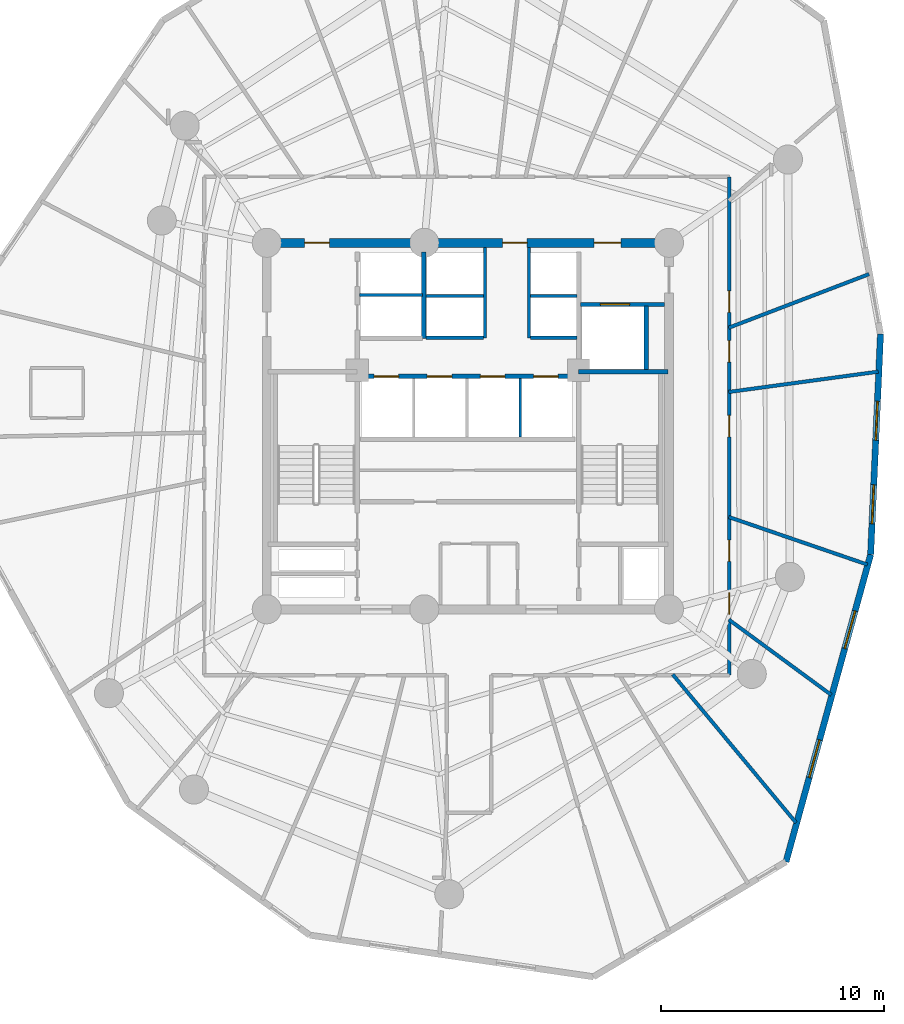
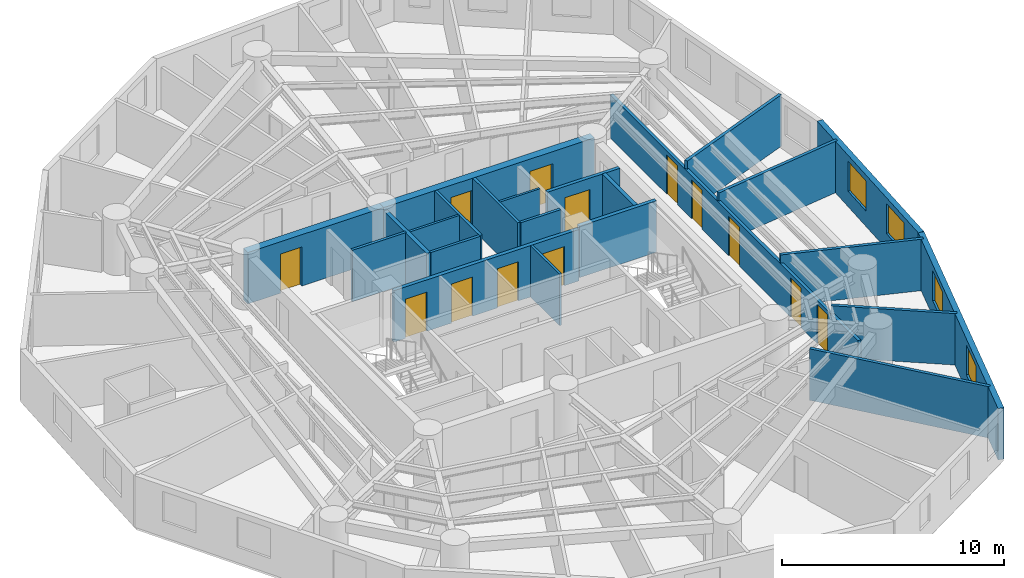
# One storey, part 5 of 8: 23 walls, 13 doors, 4 windows, 17 openings.
"""IFC4 building model written with IfcOpenShell, lengths in metres."""

from ifc_helpers import new_model, si_unit, direction, frame, frame_2d, origin, origin_with_axes, place, context, subcontext, project, spatial, rectangle, extrude, source, transform, mapped, material, layer, layer_set, type_object, element, fill, save


model = new_model("IFC4")

# Units and contexts
model_context = context("Model", 3, precision=1e-05, world=origin(), true_north=direction((0.0, 1.0)))
body_context = subcontext(model_context, "Body", "Model", "MODEL_VIEW")
ifc_project = project(units=[si_unit("LENGTHUNIT", "METRE"), si_unit("AREAUNIT", "SQUARE_METRE"), si_unit("VOLUMEUNIT", "CUBIC_METRE"), si_unit("PLANEANGLEUNIT", "RADIAN"), si_unit("MASSUNIT", "GRAM", prefix="KILO")], contexts=[model_context])

# Site, building, storey
site_placement = place(None, origin())
site = spatial("IfcSite", under=ifc_project, at=site_placement, CompositionType="ELEMENT")
building_placement = place(site_placement, origin())
building = spatial("IfcBuilding", under=site, at=building_placement, Name="Karkom Vertical University and Central Library", CompositionType="ELEMENT")
storey_placement = place(building_placement, frame((0.0, 0.0, 180.949951171875)))
storey = spatial("IfcBuildingStorey", under=building, at=storey_placement, Name="L52", CompositionType="ELEMENT", Elevation=180.949951171875)

# Wall, openings, windows
ifc_material_1 = material(Name="Brick-faced precast concrete C45/55", Category="masonry")
ifc_layer_1 = layer(ifc_material_1, 0.280029296875)
ifc_layer_set_1 = layer_set([ifc_layer_1], Name="Brick-faced precast concrete C45/55")
wall_type_1 = type_object("IfcWallType", Name="ENV-WL-BRK-280", PredefinedType="SOLIDWALL", material=ifc_layer_set_1)
wall_1_placement = place(storey_placement, frame((42.737060546875, 7.001953125, 0.0), z_axis=(0.0, 0.0, 1.0), x_axis=(0.265596536656, 0.964084270029, 0.0)))
wall_1 = element("IfcWall", 1, at=wall_1_placement, inside=storey, type_object=wall_type_1, Name="Level 52 Brick-Faced Precast Facade Wall 06", PredefinedType="SOLIDWALL", context=body_context, shape_type="SweptSolid", body=[
    extrude(rectangle(XDim=14.2607421875, YDim=0.280029296875, at=frame_2d((7.13037109375, 0.0))), origin(), (0.0, 0.0, 1.0), 2.824951171875),
])
opening_1_placement = place(wall_1_placement, frame((3.91064453125, 0.0, 0.85009765625)))
opening_1 = element("IfcOpeningElement", 2, at=opening_1_placement, cuts=wall_1, Name="Opening WN-08", PredefinedType="OPENING", context=body_context, shape_type="SweptSolid", body=[
    extrude(rectangle(XDim=1.75, YDim=1.64990234375, at=frame_2d((0.875, 0.824951171875))), frame((0.0, 0.14990234375, 0.0), z_axis=(0.0, -1.0, 0.0), x_axis=(1.0, 0.0, 0.0)), (0.0, 0.0, 1.0), 0.300048828125),
])
opening_2_placement = place(wall_1_placement, frame((9.8935546875, 0.0, 0.85009765625)))
opening_2 = element("IfcOpeningElement", 3, at=opening_2_placement, cuts=wall_1, Name="Opening WN-08", PredefinedType="OPENING", context=body_context, shape_type="SweptSolid", body=[
    extrude(rectangle(XDim=1.75, YDim=1.64990234375, at=frame_2d((0.875, 0.824951171875))), frame((0.0, 0.14990234375, 0.0), z_axis=(0.0, -1.0, 0.0), x_axis=(1.0, 0.0, 0.0)), (0.0, 0.0, 1.0), 0.300048828125),
])
ifc_material_2 = material(Name="Aluminium thermal-break frame with solar-control IGU", Category="aluminium")
window_type = type_object("IfcWindowType", Name="ENV-WIN-WN-08", PartitioningType="SINGLE_PANEL", PredefinedType="WINDOW", material=ifc_material_2)
shared_shape_1 = source(origin_with_axes(), body_context, "Body", "SweptSolid", [
    extrude(rectangle(XDim=1.75, YDim=1.64990234375, at=frame_2d((0.875, 0.824951171875))), frame((0.0, 0.030029296875, 0.0), z_axis=(0.0, -1.0, 0.0), x_axis=(1.0, 0.0, 0.0)), (0.0, 0.0, 1.0), 0.06005859375),
])
window_1_placement = place(opening_1_placement, origin())
window_1 = element("IfcWindow", 4, at=window_1_placement, inside=storey, type_object=window_type, Name="Level 52 Punched Window 6.1", OverallHeight=1.64990234375, OverallWidth=1.75, PartitioningType="SINGLE_PANEL", PredefinedType="WINDOW", context=body_context, shape_type="MappedRepresentation", body=[
    mapped(shared_shape_1, transform((0.0, 0.0, 0.0), scale=1.0)),
])
fill(opening_1, window_1)
window_2_placement = place(opening_2_placement, origin())
window_2 = element("IfcWindow", 5, at=window_2_placement, inside=storey, type_object=window_type, Name="Level 52 Punched Window 6.2", OverallHeight=1.64990234375, OverallWidth=1.75, PartitioningType="SINGLE_PANEL", PredefinedType="WINDOW", context=body_context, shape_type="MappedRepresentation", body=[
    mapped(shared_shape_1, transform((0.0, 0.0, 0.0), scale=1.0)),
])
fill(opening_2, window_2)

wall_2_placement = place(storey_placement, frame((46.524658203125, 20.75048828125, 0.0), z_axis=(0.0, 0.0, 1.0), x_axis=(0.044664292474, 0.999002052539, 0.0)))
wall_2 = element("IfcWall", 6, at=wall_2_placement, inside=storey, type_object=wall_type_1, Name="Level 52 Brick-Faced Precast Facade Wall 07", PredefinedType="SOLIDWALL", context=body_context, shape_type="SweptSolid", body=[
    extrude(rectangle(XDim=9.877197265625, YDim=0.280029296875, at=frame_2d((4.9384765625, 0.0))), origin(), (0.0, 0.0, 1.0), 2.824951171875),
])
opening_3_placement = place(wall_2_placement, frame((1.3759765625, 0.0, 0.85009765625)))
opening_3 = element("IfcOpeningElement", 7, at=opening_3_placement, cuts=wall_2, Name="Opening WN-08", PredefinedType="OPENING", context=body_context, shape_type="SweptSolid", body=[
    extrude(rectangle(XDim=1.75, YDim=1.64990234375, at=frame_2d((0.875, 0.824951171875))), frame((0.0, 0.14990234375, 0.0), z_axis=(0.0, -1.0, 0.0), x_axis=(1.0, 0.0, 0.0)), (0.0, 0.0, 1.0), 0.300048828125),
])
opening_4_placement = place(wall_2_placement, frame((5.117919921875, 0.0, 0.85009765625)))
opening_4 = element("IfcOpeningElement", 8, at=opening_4_placement, cuts=wall_2, Name="Opening WN-08", PredefinedType="OPENING", context=body_context, shape_type="SweptSolid", body=[
    extrude(rectangle(XDim=1.75, YDim=1.64990234375, at=frame_2d((0.875, 0.824951171875))), frame((0.0, 0.14990234375, 0.0), z_axis=(0.0, -1.0, 0.0), x_axis=(1.0, 0.0, 0.0)), (0.0, 0.0, 1.0), 0.300048828125),
])
window_3_placement = place(opening_3_placement, origin())
window_3 = element("IfcWindow", 9, at=window_3_placement, inside=storey, type_object=window_type, Name="Level 52 Punched Window 7.1", OverallHeight=1.64990234375, OverallWidth=1.75, PartitioningType="SINGLE_PANEL", PredefinedType="WINDOW", context=body_context, shape_type="MappedRepresentation", body=[
    mapped(shared_shape_1, transform((0.0, 0.0, 0.0), scale=1.0)),
])
fill(opening_3, window_3)
window_4_placement = place(opening_4_placement, origin())
window_4 = element("IfcWindow", 10, at=window_4_placement, inside=storey, type_object=window_type, Name="Level 52 Punched Window 7.2", OverallHeight=1.64990234375, OverallWidth=1.75, PartitioningType="SINGLE_PANEL", PredefinedType="WINDOW", context=body_context, shape_type="MappedRepresentation", body=[
    mapped(shared_shape_1, transform((0.0, 0.0, 0.0), scale=1.0)),
])
fill(opening_4, window_4)

# Wall, openings, doors
ifc_material_3 = material(Name="Insulated metal-stud drywall 160mm", Category="gypsum")
ifc_layer_2 = layer(ifc_material_3, 0.159912109375)
ifc_layer_set_2 = layer_set([ifc_layer_2], Name="Insulated metal-stud drywall 160mm")
wall_type_2 = type_object("IfcWallType", Name="INT-WL-COR-160", PredefinedType="PARTITIONING", material=ifc_layer_set_2)
wall_3_placement = place(storey_placement, frame((40.199951171875, 37.64990234375, 0.0), z_axis=(0.0, 0.0, 1.0), x_axis=(0.0, -1.0, 0.0)))
wall_3 = element("IfcWall", 11, at=wall_3_placement, inside=storey, type_object=wall_type_2, Name="Level 52 Interior Partition Wall L52-CORW-CW-004", PredefinedType="PARTITIONING", context=body_context, shape_type="SweptSolid", body=[
    extrude(rectangle(XDim=22.2998046875, YDim=0.159912109375, at=frame_2d((11.14990234375, 0.0))), origin(), (0.0, 0.0, 1.0), 2.375),
])
opening_5_placement = place(wall_3_placement, frame((18.61865234375, 0.0, 0.0)))
opening_5 = element("IfcOpeningElement", 12, at=opening_5_placement, cuts=wall_3, Name="Opening FD-RM2", PredefinedType="OPENING", context=body_context, shape_type="SweptSolid", body=[
    extrude(rectangle(XDim=0.9599609375, YDim=2.14990234375, at=frame_2d((0.47998046875, 1.074951171875))), frame((0.0, 0.08984375, 0.0), z_axis=(0.0, -1.0, 0.0), x_axis=(1.0, 0.0, 0.0)), (0.0, 0.0, 1.0), 0.179931640625),
])
opening_6_placement = place(wall_3_placement, frame((16.25, 0.0, 0.0)))
opening_6 = element("IfcOpeningElement", 13, at=opening_6_placement, cuts=wall_3, Name="Opening FD-RM2", PredefinedType="OPENING", context=body_context, shape_type="SweptSolid", body=[
    extrude(rectangle(XDim=0.9599609375, YDim=2.14990234375, at=frame_2d((0.47998046875, 1.074951171875))), frame((0.0, 0.08984375, 0.0), z_axis=(0.0, -1.0, 0.0), x_axis=(1.0, 0.0, 0.0)), (0.0, 0.0, 1.0), 0.179931640625),
])
opening_7_placement = place(wall_3_placement, frame((10.675048828125, 0.0, 0.0)))
opening_7 = element("IfcOpeningElement", 14, at=opening_7_placement, cuts=wall_3, Name="Opening FD-RM2", PredefinedType="OPENING", context=body_context, shape_type="SweptSolid", body=[
    extrude(rectangle(XDim=0.9599609375, YDim=2.14990234375, at=frame_2d((0.47998046875, 1.074951171875))), frame((0.0, 0.08984375, 0.0), z_axis=(0.0, -1.0, 0.0), x_axis=(1.0, 0.0, 0.0)), (0.0, 0.0, 1.0), 0.179931640625),
])
opening_8_placement = place(wall_3_placement, frame((7.330078125, 0.0, 0.0)))
opening_8 = element("IfcOpeningElement", 15, at=opening_8_placement, cuts=wall_3, Name="Opening FD-RM2", PredefinedType="OPENING", context=body_context, shape_type="SweptSolid", body=[
    extrude(rectangle(XDim=0.9599609375, YDim=2.14990234375, at=frame_2d((0.47998046875, 1.074951171875))), frame((0.0, 0.08984375, 0.0), z_axis=(0.0, -1.0, 0.0), x_axis=(1.0, 0.0, 0.0)), (0.0, 0.0, 1.0), 0.179931640625),
])
opening_9_placement = place(wall_3_placement, frame((5.10009765625, 0.0, 0.0)))
opening_9 = element("IfcOpeningElement", 16, at=opening_9_placement, cuts=wall_3, Name="Opening FD-RM2", PredefinedType="OPENING", context=body_context, shape_type="SweptSolid", body=[
    extrude(rectangle(XDim=0.9599609375, YDim=2.14990234375, at=frame_2d((0.47998046875, 1.074951171875))), frame((0.0, 0.08984375, 0.0), z_axis=(0.0, -1.0, 0.0), x_axis=(1.0, 0.0, 0.0)), (0.0, 0.0, 1.0), 0.179931640625),
])
ifc_material_4 = material(Name="Fire-rated oak veneer door", Category="wood")
door_type_1 = type_object("IfcDoorType", Name="INT-DR-FRM2", OperationType="NOTDEFINED", PredefinedType="DOOR", material=ifc_material_4)
shared_shape_2 = source(origin_with_axes(), body_context, "Body", "SweptSolid", [
    extrude(rectangle(XDim=0.9599609375, YDim=2.14990234375, at=frame_2d((0.47998046875, 1.074951171875))), frame((0.0, 0.02490234375, 0.0), z_axis=(0.0, -1.0, 0.0), x_axis=(1.0, 0.0, 0.0)), (0.0, 0.0, 1.0), 0.050048828125),
])
door_1_placement = place(opening_5_placement, origin())
door_1 = element("IfcDoor", 17, at=door_1_placement, inside=storey, type_object=door_type_1, Name="Level 52 Room Entry Door 100", OperationType="SINGLE_SWING_LEFT", OverallHeight=2.14990234375, OverallWidth=0.9599609375, PredefinedType="DOOR", context=body_context, shape_type="MappedRepresentation", body=[
    mapped(shared_shape_2, transform((0.0, 0.0, 0.0), scale=1.0)),
])
fill(opening_5, door_1)
door_2_placement = place(opening_6_placement, origin())
door_2 = element("IfcDoor", 18, at=door_2_placement, inside=storey, type_object=door_type_1, Name="Level 52 Room Entry Door 110", OperationType="SINGLE_SWING_RIGHT", OverallHeight=2.14990234375, OverallWidth=0.9599609375, PredefinedType="DOOR", context=body_context, shape_type="MappedRepresentation", body=[
    mapped(shared_shape_2, transform((0.0, 0.0, 0.0), scale=1.0)),
])
fill(opening_6, door_2)
door_3_placement = place(opening_7_placement, origin())
door_3 = element("IfcDoor", 19, at=door_3_placement, inside=storey, type_object=door_type_1, Name="Level 52 Room Entry Door 120", OperationType="SINGLE_SWING_LEFT", OverallHeight=2.14990234375, OverallWidth=0.9599609375, PredefinedType="DOOR", context=body_context, shape_type="MappedRepresentation", body=[
    mapped(shared_shape_2, transform((0.0, 0.0, 0.0), scale=1.0)),
])
fill(opening_7, door_3)
door_4_placement = place(opening_8_placement, origin())
door_4 = element("IfcDoor", 20, at=door_4_placement, inside=storey, type_object=door_type_1, Name="Level 52 Room Entry Door 130", OperationType="SINGLE_SWING_RIGHT", OverallHeight=2.14990234375, OverallWidth=0.9599609375, PredefinedType="DOOR", context=body_context, shape_type="MappedRepresentation", body=[
    mapped(shared_shape_2, transform((0.0, 0.0, 0.0), scale=1.0)),
])
fill(opening_8, door_4)
door_5_placement = place(opening_9_placement, origin())
door_5 = element("IfcDoor", 21, at=door_5_placement, inside=storey, type_object=door_type_1, Name="Level 52 Room Entry Door 140", OperationType="SINGLE_SWING_LEFT", OverallHeight=2.14990234375, OverallWidth=0.9599609375, PredefinedType="DOOR", context=body_context, shape_type="MappedRepresentation", body=[
    mapped(shared_shape_2, transform((0.0, 0.0, 0.0), scale=1.0)),
])
fill(opening_9, door_5)

# Walls
wall_4_placement = place(storey_placement, frame((37.665283203125, 15.384521484375, 0.0), z_axis=(0.0, 0.0, 1.0), x_axis=(0.639368423228, -0.768900526323, 0.0)))
element("IfcWall", 22, at=wall_4_placement, inside=storey, type_object=wall_type_2, Name="Level 52 Interior Partition Wall L52-PW-015", PredefinedType="PARTITIONING", context=body_context, shape_type="SweptSolid", body=[
    extrude(rectangle(XDim=8.626708984375, YDim=0.159912109375, at=frame_2d((4.3134765625, 0.0))), origin(), (0.0, 0.0, 1.0), 2.824951171875),
])
wall_5_placement = place(storey_placement, frame((40.17041015625, 28.0244140625, 0.0), z_axis=(0.0, 0.0, 1.0), x_axis=(0.99089755773, 0.134618089739, 0.0)))
element("IfcWall", 23, at=wall_5_placement, inside=storey, type_object=wall_type_2, Name="Level 52 Interior Partition Wall L52-PW-018", PredefinedType="PARTITIONING", context=body_context, shape_type="SweptSolid", body=[
    extrude(rectangle(XDim=6.755615234375, YDim=0.159912109375, at=frame_2d((3.3779296875, 0.0))), origin(), (0.0, 0.0, 1.0), 2.824951171875),
])
wall_6_placement = place(storey_placement, frame((40.172119140625, 30.898193359375, 0.0), z_axis=(0.0, 0.0, 1.0), x_axis=(0.934068932964, 0.357092744916, 0.0)))
element("IfcWall", 24, at=wall_6_placement, inside=storey, type_object=wall_type_2, Name="Level 52 Interior Partition Wall L52-PW-019", PredefinedType="PARTITIONING", context=body_context, shape_type="SweptSolid", body=[
    extrude(rectangle(XDim=6.72412109375, YDim=0.159912109375, at=frame_2d((3.362060546875, 0.0))), origin(), (0.0, 0.0, 1.0), 2.824951171875),
])
wall_7_placement = place(storey_placement, frame((40.171630859375, 22.430908203125, 0.0), z_axis=(0.0, 0.0, 1.0), x_axis=(0.945839197, -0.324635508561, 0.0)))
element("IfcWall", 25, at=wall_7_placement, inside=storey, type_object=wall_type_2, Name="Level 52 Interior Partition Wall L52-PW-017", PredefinedType="PARTITIONING", context=body_context, shape_type="SweptSolid", body=[
    extrude(rectangle(XDim=6.55859375, YDim=0.159912109375, at=frame_2d((3.279296875, 0.0))), origin(), (0.0, 0.0, 1.0), 2.824951171875),
])
wall_8_placement = place(storey_placement, frame((40.17578125, 17.839599609375, 0.0), z_axis=(0.0, 0.0, 1.0), x_axis=(0.805619112409, -0.592433832357, 0.0)))
element("IfcWall", 26, at=wall_8_placement, inside=storey, type_object=wall_type_2, Name="Level 52 Interior Partition Wall L52-PW-016", PredefinedType="PARTITIONING", context=body_context, shape_type="SweptSolid", body=[
    extrude(rectangle(XDim=5.69384765625, YDim=0.159912109375, at=frame_2d((2.846923828125, 0.0))), origin(), (0.0, 0.0, 1.0), 2.824951171875),
])
ifc_material_5 = material(Name="Moisture-resistant drywall 120mm", Category="gypsum")
ifc_layer_3 = layer(ifc_material_5, 0.1201171875)
ifc_layer_set_3 = layer_set([ifc_layer_3], Name="Moisture-resistant drywall 120mm")
wall_type_3 = type_object("IfcWallType", Name="INT-WL-INT-120H", PredefinedType="PARTITIONING", material=ifc_layer_set_3)
wall_9_placement = place(storey_placement, frame((30.840087890625, 26.02001953125, 0.0), z_axis=(0.0, 0.0, 1.0), x_axis=(0.0, 1.0, 0.0)))
element("IfcWall", 27, at=wall_9_placement, inside=storey, type_object=wall_type_3, Name="Level 52 Interior Partition Wall L52-CW-PM-DIV3", PredefinedType="PARTITIONING", context=body_context, shape_type="SweptSolid", body=[
    extrude(rectangle(XDim=2.60009765625, YDim=0.1201171875, at=frame_2d((1.300048828125, 0.0))), origin(), (0.0, 0.0, 1.0), 2.824951171875),
])
wall_10_placement = place(storey_placement, frame((26.6201171875, 32.320068359375, 0.0), z_axis=(0.0, 0.0, 1.0), x_axis=(1.0, 0.0, 0.0)))
element("IfcWall", 28, at=wall_10_placement, inside=storey, type_object=wall_type_3, Name="Level 52 Interior Partition Wall L52-CW-PH-MW", PredefinedType="PARTITIONING", context=body_context, shape_type="SweptSolid", body=[
    extrude(rectangle(XDim=2.579833984375, YDim=0.1201171875, at=frame_2d((1.2900390625, 0.0))), origin(), (0.0, 0.0, 1.0), 2.824951171875),
])
wall_11_placement = place(storey_placement, frame((31.300048828125, 32.320068359375, 0.0), z_axis=(0.0, 0.0, 1.0), x_axis=(1.0, 0.0, 0.0)))
element("IfcWall", 29, at=wall_11_placement, inside=storey, type_object=wall_type_3, Name="Level 52 Interior Partition Wall L52-CW-PH-ME", PredefinedType="PARTITIONING", context=body_context, shape_type="SweptSolid", body=[
    extrude(rectangle(XDim=2.074951171875, YDim=0.1201171875, at=frame_2d((1.03759765625, 0.0))), origin(), (0.0, 0.0, 1.0), 2.824951171875),
])
ifc_material_6 = material(Name="Metal-stud gypsum partition 140mm", Category="gypsum")
ifc_layer_4 = layer(ifc_material_6, 0.139892578125)
ifc_layer_set_4 = layer_set([ifc_layer_4], Name="Metal-stud gypsum partition 140mm")
wall_type_4 = type_object("IfcWallType", Name="INT-WL-SUB-140H", PredefinedType="PARTITIONING", material=ifc_layer_set_4)
for number, where, z_axis, x_axis, name in (
    (30, (29.260009765625, 30.449951171875, 0.0), (0.0, 0.0, 1.0), (0.0, 1.0, 0.0), "Level 52 Interior Partition Wall L52-CW-PH-W"),
    (31, (31.239990234375, 30.449951171875, 0.0), (0.0, 0.0, 1.0), (0.0, 1.0, 0.0), "Level 52 Interior Partition Wall L52-CW-PH-E"),
):
    element("IfcWall", number, at=place(storey_placement, frame(where, z_axis=z_axis, x_axis=x_axis)), inside=storey, type_object=wall_type_4, Name=name, PredefinedType="PARTITIONING", context=body_context, shape_type="SweptSolid", body=[
        extrude(rectangle(XDim=4.04296875, YDim=0.139892578125, at=frame_2d((2.021484375, 0.0))), origin(), (0.0, 0.0, 1.0), 2.824951171875),
    ])
wall_12_placement = place(storey_placement, frame((26.6201171875, 30.449951171875, 0.0), z_axis=(0.0, 0.0, 1.0), x_axis=(1.0, 0.0, 0.0)))
element("IfcWall", 32, at=wall_12_placement, inside=storey, type_object=wall_type_4, Name="Level 52 Interior Partition Wall L52-CW-PH-S1", PredefinedType="PARTITIONING", context=body_context, shape_type="SweptSolid", body=[
    extrude(rectangle(XDim=2.579833984375, YDim=0.139892578125, at=frame_2d((1.2900390625, 0.0))), origin(), (0.0, 0.0, 1.0), 2.824951171875),
])
wall_13_placement = place(storey_placement, frame((31.300048828125, 30.449951171875, 0.0), z_axis=(0.0, 0.0, 1.0), x_axis=(1.0, 0.0, 0.0)))
element("IfcWall", 33, at=wall_13_placement, inside=storey, type_object=wall_type_4, Name="Level 52 Interior Partition Wall L52-CW-PH-S2", PredefinedType="PARTITIONING", context=body_context, shape_type="SweptSolid", body=[
    extrude(rectangle(XDim=2.074951171875, YDim=0.139892578125, at=frame_2d((1.03759765625, 0.0))), origin(), (0.0, 0.0, 1.0), 2.824951171875),
])
ifc_layer_5 = layer(ifc_material_6, 0.139892578125)
ifc_layer_set_5 = layer_set([ifc_layer_5], Name="Metal-stud gypsum partition 140mm")
wall_type_5 = type_object("IfcWallType", Name="INT-WL-SUB-140X", PredefinedType="PARTITIONING", material=ifc_layer_set_5)
wall_14_placement = place(storey_placement, frame((23.652099609375, 32.3701171875, 0.0), z_axis=(0.0, 0.0, 1.0), x_axis=(1.0, 0.0, 0.0)))
element("IfcWall", 34, at=wall_14_placement, inside=storey, type_object=wall_type_5, Name="Level 52 Interior Partition Wall L52-CW-FFL-M", PredefinedType="PARTITIONING", context=body_context, shape_type="SweptSolid", body=[
    extrude(rectangle(XDim=2.827880859375, YDim=0.139892578125, at=frame_2d((1.4140625, 0.0))), origin(), (0.0, 0.0, 1.0), 2.824951171875),
])

# Wall, opening, door
ifc_material_7 = material(Name="Twin-stud acoustic drywall 180mm", Category="gypsum")
ifc_layer_6 = layer(ifc_material_7, 0.179931640625)
ifc_layer_set_6 = layer_set([ifc_layer_6], Name="Twin-stud acoustic drywall 180mm")
wall_type_6 = type_object("IfcWallType", Name="INT-WL-TEN-180F", PredefinedType="PARTITIONING", material=ifc_layer_set_6)
wall_15_placement = place(storey_placement, frame((33.534912109375, 31.949951171875, 0.0), z_axis=(0.0, 0.0, 1.0), x_axis=(1.0, 0.0, 0.0)))
wall_15 = element("IfcWall", 35, at=wall_15_placement, inside=storey, type_object=wall_type_6, Name="Level 52 Interior Partition Wall L52-CW-SVL-N", PredefinedType="PARTITIONING", context=body_context, shape_type="SweptSolid", body=[
    extrude(rectangle(XDim=3.7587890625, YDim=0.179931640625, at=frame_2d((1.87939453125, 0.0))), origin(), (0.0, 0.0, 1.0), 2.824951171875),
])
opening_10_placement = place(wall_15_placement, frame((0.89990234375, 0.0, 0.0)))
opening_10 = element("IfcOpeningElement", 36, at=opening_10_placement, cuts=wall_15, Name="Opening LD-SV1", PredefinedType="OPENING", context=body_context, shape_type="SweptSolid", body=[
    extrude(rectangle(XDim=1.300048828125, YDim=2.199951171875, at=frame_2d((0.64990234375, 1.10009765625))), frame((0.0, 0.10009765625, 0.0), z_axis=(0.0, -1.0, 0.0), x_axis=(1.0, 0.0, 0.0)), (0.0, 0.0, 1.0), 0.199951171875),
])
ifc_material_8 = material(Name="Brushed stainless-steel landing door", Category="steel")
door_type_2 = type_object("IfcDoorType", Name="INT-DR-LD-SV1", OperationType="SLIDING_TO_LEFT", PredefinedType="DOOR", material=ifc_material_8)
shared_shape_3 = source(origin_with_axes(), body_context, "Body", "SweptSolid", [
    extrude(rectangle(XDim=1.300048828125, YDim=2.199951171875, at=frame_2d((0.64990234375, 1.10009765625))), frame((0.0, 0.02490234375, 0.0), z_axis=(0.0, -1.0, 0.0), x_axis=(1.0, 0.0, 0.0)), (0.0, 0.0, 1.0), 0.050048828125),
])
door_6_placement = place(opening_10_placement, origin())
door_6 = element("IfcDoor", 37, at=door_6_placement, inside=storey, type_object=door_type_2, Name="Level 52 Service Lift Landing Door LD-SV1", OperationType="SLIDING_TO_LEFT", OverallHeight=2.199951171875, OverallWidth=1.300048828125, PredefinedType="DOOR", context=body_context, shape_type="MappedRepresentation", body=[
    mapped(shared_shape_3, transform((0.0, 0.0, 0.0), scale=1.0)),
])
fill(opening_10, door_6)

# Wall, openings, doors
ifc_material_9 = material(Name="Concrete C50/60", Category="concrete")
ifc_layer_7 = layer(ifc_material_9, 0.39990234375)
ifc_layer_set_7 = layer_set([ifc_layer_7], Name="Concrete C50/60")
wall_type_7 = type_object("IfcWallType", Name="STR-WL-CW-400", PredefinedType="SHEAR", material=ifc_layer_set_7)
wall_16_placement = place(storey_placement, frame((37.5, 34.699951171875, 0.0), z_axis=(0.0, 0.0, 1.0), x_axis=(-1.0, 0.0, 0.0)))
wall_16 = element("IfcWall", 38, at=wall_16_placement, inside=storey, type_object=wall_type_7, Name="Level 52 Central Core Shear Wall NW1", PredefinedType="SHEAR", context=body_context, shape_type="SweptSolid", body=[
    extrude(rectangle(XDim=10.949951171875, YDim=0.39990234375, at=frame_2d((5.47509765625, 0.0))), origin(), (0.0, 0.0, 1.0), 2.824951171875),
])
opening_11_placement = place(wall_16_placement, frame((2.14990234375, 0.0, 0.0)))
opening_11 = element("IfcOpeningElement", 39, at=opening_11_placement, cuts=wall_16, Name="Opening FD-SUB1", PredefinedType="OPENING", context=body_context, shape_type="SweptSolid", body=[
    extrude(rectangle(XDim=1.199951171875, YDim=2.14990234375, at=frame_2d((0.60009765625, 1.074951171875))), frame((0.0, 0.2099609375, 0.0), z_axis=(0.0, -1.0, 0.0), x_axis=(1.0, 0.0, 0.0)), (0.0, 0.0, 1.0), 0.419921875),
])
opening_12_placement = place(wall_16_placement, frame((6.35009765625, 0.0, 0.0)))
opening_12 = element("IfcOpeningElement", 40, at=opening_12_placement, cuts=wall_16, Name="Opening FD-FFL", PredefinedType="OPENING", context=body_context, shape_type="SweptSolid", body=[
    extrude(rectangle(XDim=1.10009765625, YDim=2.14990234375, at=frame_2d((0.550048828125, 1.074951171875))), frame((0.0, 0.2099609375, 0.0), z_axis=(0.0, -1.0, 0.0), x_axis=(1.0, 0.0, 0.0)), (0.0, 0.0, 1.0), 0.419921875),
])
ifc_material_10 = material(Name="Painted steel smoke-seal fire door", Category="steel")
door_type_3 = type_object("IfcDoorType", Name="INT-DR-FFL", OperationType="NOTDEFINED", PredefinedType="DOOR", material=ifc_material_10)
shared_shape_4 = source(origin_with_axes(), body_context, "Body", "SweptSolid", [
    extrude(rectangle(XDim=1.10009765625, YDim=2.14990234375, at=frame_2d((0.550048828125, 1.074951171875))), frame((0.0, 0.02490234375, 0.0), z_axis=(0.0, -1.0, 0.0), x_axis=(1.0, 0.0, 0.0)), (0.0, 0.0, 1.0), 0.050048828125),
])
door_7_placement = place(opening_12_placement, origin())
door_7 = element("IfcDoor", 41, at=door_7_placement, inside=storey, type_object=door_type_3, Name="Level 52 North Core Lobby Exit Door", OperationType="SINGLE_SWING_LEFT", OverallHeight=2.14990234375, OverallWidth=1.10009765625, PredefinedType="DOOR", context=body_context, shape_type="MappedRepresentation", body=[
    mapped(shared_shape_4, transform((0.0, 0.0, 0.0), scale=1.0)),
])
fill(opening_12, door_7)
ifc_material_11 = material(Name="Painted steel fire door", Category="steel")
door_type_4 = type_object("IfcDoorType", Name="INT-DR-SUB1", OperationType="NOTDEFINED", PredefinedType="DOOR", material=ifc_material_11)
shared_shape_5 = source(origin_with_axes(), body_context, "Body", "SweptSolid", [
    extrude(rectangle(XDim=1.199951171875, YDim=2.14990234375, at=frame_2d((0.60009765625, 1.074951171875))), frame((0.0, 0.02490234375, 0.0), z_axis=(0.0, -1.0, 0.0), x_axis=(1.0, 0.0, 0.0)), (0.0, 0.0, 1.0), 0.050048828125),
])
door_8_placement = place(opening_11_placement, origin())
door_8 = element("IfcDoor", 42, at=door_8_placement, inside=storey, type_object=door_type_4, Name="Level 52 Service Lobby Fire Door", OperationType="SINGLE_SWING_LEFT", OverallHeight=2.14990234375, OverallWidth=1.199951171875, PredefinedType="DOOR", context=body_context, shape_type="MappedRepresentation", body=[
    mapped(shared_shape_5, transform((0.0, 0.0, 0.0), scale=1.0)),
])
fill(opening_11, door_8)

# Wall, opening, door
wall_17_placement = place(storey_placement, frame((26.550048828125, 34.699951171875, 0.0), z_axis=(0.0, 0.0, 1.0), x_axis=(-1.0, 0.0, 0.0)))
wall_17 = element("IfcWall", 43, at=wall_17_placement, inside=storey, type_object=wall_type_7, Name="Level 52 Central Core Shear Wall NW2", PredefinedType="SHEAR", context=body_context, shape_type="SweptSolid", body=[
    extrude(rectangle(XDim=7.050048828125, YDim=0.39990234375, at=frame_2d((3.52490234375, 0.0))), origin(), (0.0, 0.0, 1.0), 2.824951171875),
])
opening_13_placement = place(wall_17_placement, frame((4.25, 0.0, 0.0)))
opening_13 = element("IfcOpeningElement", 44, at=opening_13_placement, cuts=wall_17, Name="Opening FD-FFL", PredefinedType="OPENING", context=body_context, shape_type="SweptSolid", body=[
    extrude(rectangle(XDim=1.10009765625, YDim=2.14990234375, at=frame_2d((0.550048828125, 1.074951171875))), frame((0.0, 0.2099609375, 0.0), z_axis=(0.0, -1.0, 0.0), x_axis=(1.0, 0.0, 0.0)), (0.0, 0.0, 1.0), 0.419921875),
])
door_9_placement = place(opening_13_placement, origin())
door_9 = element("IfcDoor", 45, at=door_9_placement, inside=storey, type_object=door_type_3, Name="Level 52 Firefighting Lobby Door", OperationType="SINGLE_SWING_RIGHT", OverallHeight=2.14990234375, OverallWidth=1.10009765625, PredefinedType="DOOR", context=body_context, shape_type="MappedRepresentation", body=[
    mapped(shared_shape_4, transform((0.0, 0.0, 0.0), scale=1.0)),
])
fill(opening_13, door_9)

# Wall, openings, doors
ifc_material_12 = material(Name="Concrete C45/55", Category="concrete")
ifc_layer_8 = layer(ifc_material_12, 0.199951171875)
ifc_layer_set_8 = layer_set([ifc_layer_8], Name="Concrete C45/55")
wall_type_8 = type_object("IfcWallType", Name="STR-WL-ST-200", PredefinedType="SHEAR", material=ifc_layer_set_8)
wall_18_placement = place(storey_placement, frame((23.699951171875, 28.719970703125, 0.0), z_axis=(0.0, 0.0, 1.0), x_axis=(1.0, 0.0, 0.0)))
wall_18 = element("IfcWall", 46, at=wall_18_placement, inside=storey, type_object=wall_type_8, Name="Level 52 Core Shaft Wall L52-CW-B2-N", PredefinedType="SHEAR", context=body_context, shape_type="SweptSolid", body=[
    extrude(rectangle(XDim=9.60009765625, YDim=0.199951171875, at=frame_2d((4.800048828125, 0.0))), origin(), (0.0, 0.0, 1.0), 2.824951171875),
])
opening_14_placement = place(wall_18_placement, frame((0.60009765625, 0.0, 0.0)))
opening_14 = element("IfcOpeningElement", 47, at=opening_14_placement, cuts=wall_18, Name="Opening LD-PAX", PredefinedType="OPENING", context=body_context, shape_type="SweptSolid", body=[
    extrude(rectangle(XDim=1.10009765625, YDim=2.14990234375, at=frame_2d((0.550048828125, 1.074951171875))), frame((0.0, 0.10986328125, 0.0), z_axis=(0.0, -1.0, 0.0), x_axis=(1.0, 0.0, 0.0)), (0.0, 0.0, 1.0), 0.219970703125),
])
opening_15_placement = place(wall_18_placement, frame((2.97998046875, 0.0, 0.0)))
opening_15 = element("IfcOpeningElement", 48, at=opening_15_placement, cuts=wall_18, Name="Opening LD-PAX", PredefinedType="OPENING", context=body_context, shape_type="SweptSolid", body=[
    extrude(rectangle(XDim=1.10009765625, YDim=2.14990234375, at=frame_2d((0.550048828125, 1.074951171875))), frame((0.0, 0.10986328125, 0.0), z_axis=(0.0, -1.0, 0.0), x_axis=(1.0, 0.0, 0.0)), (0.0, 0.0, 1.0), 0.219970703125),
])
opening_16_placement = place(wall_18_placement, frame((5.360107421875, 0.0, 0.0)))
opening_16 = element("IfcOpeningElement", 49, at=opening_16_placement, cuts=wall_18, Name="Opening LD-PAX", PredefinedType="OPENING", context=body_context, shape_type="SweptSolid", body=[
    extrude(rectangle(XDim=1.10009765625, YDim=2.14990234375, at=frame_2d((0.550048828125, 1.074951171875))), frame((0.0, 0.10986328125, 0.0), z_axis=(0.0, -1.0, 0.0), x_axis=(1.0, 0.0, 0.0)), (0.0, 0.0, 1.0), 0.219970703125),
])
opening_17_placement = place(wall_18_placement, frame((7.739990234375, 0.0, 0.0)))
opening_17 = element("IfcOpeningElement", 50, at=opening_17_placement, cuts=wall_18, Name="Opening LD-PAX", PredefinedType="OPENING", context=body_context, shape_type="SweptSolid", body=[
    extrude(rectangle(XDim=1.10009765625, YDim=2.14990234375, at=frame_2d((0.550048828125, 1.074951171875))), frame((0.0, 0.10986328125, 0.0), z_axis=(0.0, -1.0, 0.0), x_axis=(1.0, 0.0, 0.0)), (0.0, 0.0, 1.0), 0.219970703125),
])
door_type_5 = type_object("IfcDoorType", Name="INT-DR-LD-PAX", OperationType="SLIDING_TO_LEFT", PredefinedType="DOOR", material=ifc_material_8)
door_10_placement = place(opening_14_placement, origin())
door_10 = element("IfcDoor", 51, at=door_10_placement, inside=storey, type_object=door_type_5, Name="Level 52 Lift PM-1 Landing Door", OperationType="SLIDING_TO_LEFT", OverallHeight=2.14990234375, OverallWidth=1.10009765625, PredefinedType="DOOR", context=body_context, shape_type="MappedRepresentation", body=[
    mapped(shared_shape_4, transform((0.0, 0.0, 0.0), scale=1.0)),
])
fill(opening_14, door_10)
door_11_placement = place(opening_15_placement, origin())
door_11 = element("IfcDoor", 52, at=door_11_placement, inside=storey, type_object=door_type_5, Name="Level 52 Lift PM-2 Landing Door", OperationType="SLIDING_TO_RIGHT", OverallHeight=2.14990234375, OverallWidth=1.10009765625, PredefinedType="DOOR", context=body_context, shape_type="MappedRepresentation", body=[
    mapped(shared_shape_4, transform((0.0, 0.0, 0.0), scale=1.0)),
])
fill(opening_15, door_11)
door_12_placement = place(opening_16_placement, origin())
door_12 = element("IfcDoor", 53, at=door_12_placement, inside=storey, type_object=door_type_5, Name="Level 52 Lift PM-3 Landing Door", OperationType="SLIDING_TO_LEFT", OverallHeight=2.14990234375, OverallWidth=1.10009765625, PredefinedType="DOOR", context=body_context, shape_type="MappedRepresentation", body=[
    mapped(shared_shape_4, transform((0.0, 0.0, 0.0), scale=1.0)),
])
fill(opening_16, door_12)
door_13_placement = place(opening_17_placement, origin())
door_13 = element("IfcDoor", 54, at=door_13_placement, inside=storey, type_object=door_type_5, Name="Level 52 Lift PM-4 Landing Door", OperationType="SLIDING_TO_RIGHT", OverallHeight=2.14990234375, OverallWidth=1.10009765625, PredefinedType="DOOR", context=body_context, shape_type="MappedRepresentation", body=[
    mapped(shared_shape_4, transform((0.0, 0.0, 0.0), scale=1.0)),
])
fill(opening_17, door_13)

# Walls
wall_19_placement = place(storey_placement, frame((33.455078125, 28.925048828125, 0.0), z_axis=(0.0, 0.0, 1.0), x_axis=(1.0, 0.0, 0.0)))
element("IfcWall", 55, at=wall_19_placement, inside=storey, type_object=wall_type_8, Name="Level 52 Core Shaft Wall L52-CW-ST2-N", PredefinedType="SHEAR", context=body_context, shape_type="SweptSolid", body=[
    extrude(rectangle(XDim=3.994873046875, YDim=0.199951171875, at=frame_2d((1.99755859375, 0.0))), origin(), (0.0, 0.0, 1.0), 2.824951171875),
])
wall_20_placement = place(storey_placement, frame((26.52001953125, 30.419921875, 0.0), z_axis=(0.0, 0.0, 1.0), x_axis=(0.0, 1.0, 0.0)))
element("IfcWall", 56, at=wall_20_placement, inside=storey, type_object=wall_type_8, Name="Level 52 Core Shaft Wall L52-CW-FFL-E", PredefinedType="SHEAR", context=body_context, shape_type="SweptSolid", body=[
    extrude(rectangle(XDim=3.860107421875, YDim=0.199951171875, at=frame_2d((1.93017578125, 0.0))), origin(), (0.0, 0.0, 1.0), 2.824951171875),
])
wall_21_placement = place(storey_placement, frame((36.47998046875, 29.02001953125, 0.0), z_axis=(0.0, 0.0, 1.0), x_axis=(0.0, 1.0, 0.0)))
element("IfcWall", 57, at=wall_21_placement, inside=storey, type_object=wall_type_8, Name="Level 52 Core Shaft Wall L52-CW-SVL-E", PredefinedType="SHEAR", context=body_context, shape_type="SweptSolid", body=[
    extrude(rectangle(XDim=2.85986328125, YDim=0.199951171875, at=frame_2d((1.429931640625, 0.0))), origin(), (0.0, 0.0, 1.0), 2.824951171875),
])

save(model, "model.ifc")
